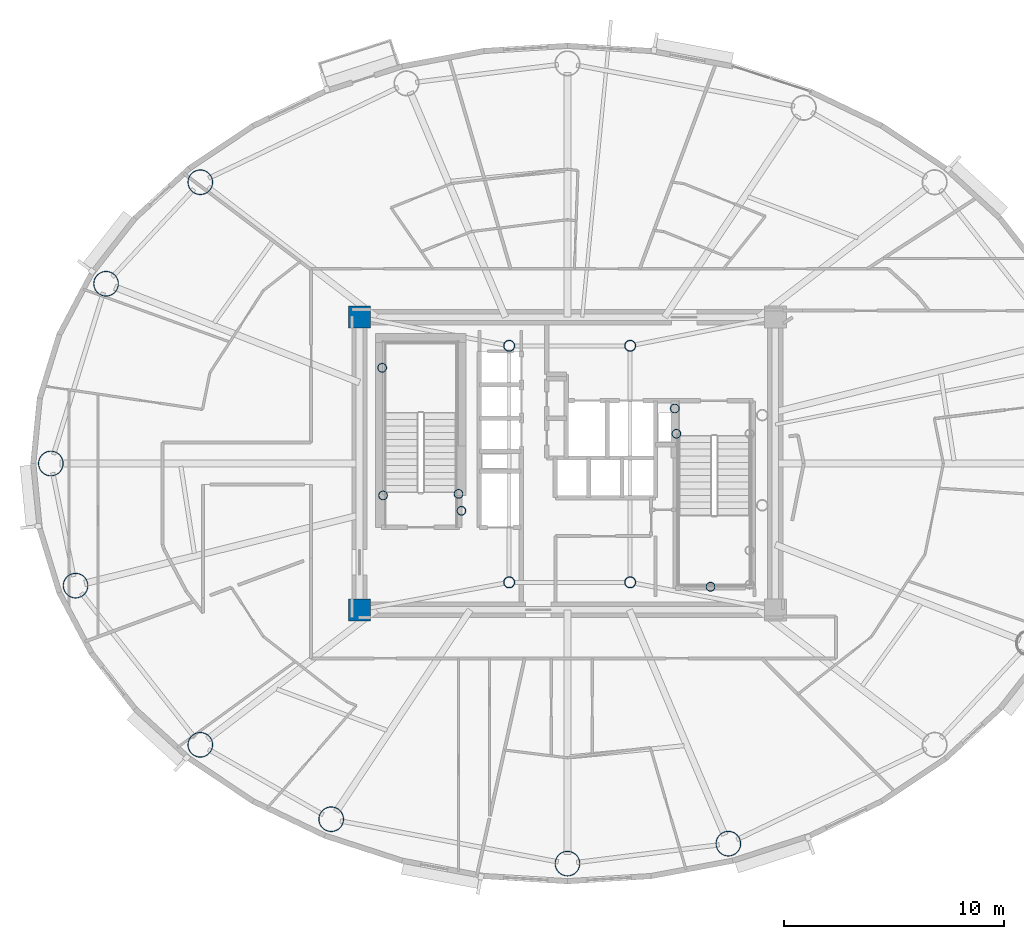
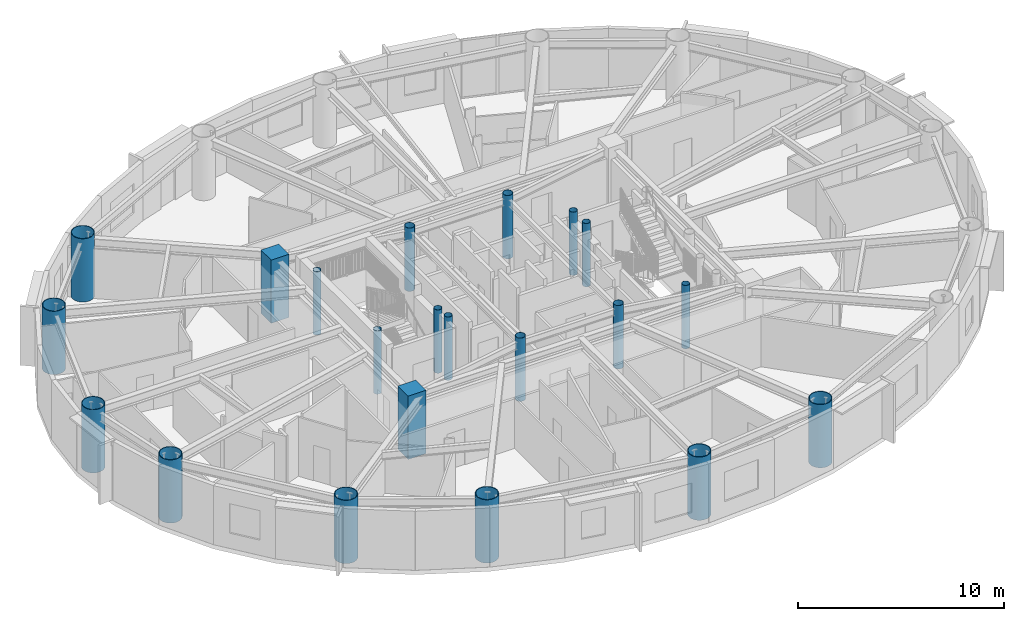
# One storey, part 1 of 19: 21 columns.
"""IFC4 building model written with IfcOpenShell, lengths in metres."""

from ifc_helpers import new_model, si_unit, direction, frame, origin, origin_2d, place, context, subcontext, project, spatial, rectangle, hollow_circle, extrude, material, material_profile, profile_set, type_object, element, save


model = new_model("IFC4")

# Units and contexts
model_context = context("Model", 3, precision=1e-05, world=origin(), true_north=direction((0.0, 1.0)))
body_context = subcontext(model_context, "Body", "Model", "MODEL_VIEW")
ifc_project = project(units=[si_unit("LENGTHUNIT", "METRE"), si_unit("AREAUNIT", "SQUARE_METRE"), si_unit("VOLUMEUNIT", "CUBIC_METRE"), si_unit("PLANEANGLEUNIT", "RADIAN"), si_unit("MASSUNIT", "GRAM", prefix="KILO")], contexts=[model_context])

# Site, building, storey
site_placement = place(None, origin())
site = spatial("IfcSite", under=ifc_project, at=site_placement, CompositionType="ELEMENT")
building_placement = place(site_placement, origin())
building = spatial("IfcBuilding", under=site, at=building_placement, Name="Linh Dai School and Residence Tower", CompositionType="ELEMENT")
storey_placement = place(building_placement, frame((0.0, 0.0, 217.800048828125)))
storey = spatial("IfcBuildingStorey", under=building, at=storey_placement, Name="L53", CompositionType="ELEMENT", Elevation=217.800048828125)

# Columns
ifc_material_1 = material(Name="Concrete B45 (C35/45)", Category="concrete")
ifc_material_profile_1 = material_profile(ifc_material_1, rectangle(XDim=1.0, YDim=1.0, at=origin_2d()), Name="RC 1000x1000")
ifc_profile_set_1 = profile_set([ifc_material_profile_1], Name="Concrete B45 (C35/45)")
column_type_1 = type_object("IfcColumnType", Name="COL-CC3", PredefinedType="COLUMN", material=ifc_profile_set_1)
for number, where, z_axis, x_axis, name in (
    (1, (26.550048828125, 20.35009765625, 0.0), (0.0, 0.0, 1.0), (1.0, 0.0, 0.0), "L53 Core Corner Pier CC1"),
    (2, (26.550048828125, 33.64990234375, 0.0), (0.0, 0.0, 1.0), (1.0, 0.0, 0.0), "L53 Core Corner Pier CC4"),
):
    element("IfcColumn", number, at=place(storey_placement, frame(where, z_axis=z_axis, x_axis=x_axis)), inside=storey, type_object=column_type_1, Name=name, PredefinedType="COLUMN", context=body_context, shape_type="SweptSolid", body=[
        extrude(rectangle(XDim=1.0, YDim=1.0, at=origin_2d()), origin(), (0.0, 0.0, 1.0), 3.75),
    ])
ifc_material_2 = material(Name="Structural Steel S355JR", Category="steel")
ifc_material_profile_2 = material_profile(ifc_material_2, hollow_circle(Radius=0.203125, WallThickness=0.01611328125, at=origin_2d()), Name="CHS 406.4x16")
ifc_profile_set_2 = profile_set([ifc_material_profile_2], Name="Structural Steel S355JR")
column_type_2 = type_object("IfcColumnType", Name="COL-EC", PredefinedType="COLUMN", material=ifc_profile_set_2)
for number, where, z_axis, x_axis, name in (
    (3, (27.580078125, 31.35009765625, 0.0), (0.0, 0.0, 1.0), (1.0, 0.0, 0.0), "L53 Stair Shaft Landing Support Pier ST1NW"),
    (4, (31.050048828125, 25.6201171875, 0.0), (0.0, 0.0, 1.0), (1.0, 0.0, 0.0), "L53 Stair Shaft Landing Support Pier ST1SE"),
    (5, (31.179931640625, 24.85009765625, 0.0), (0.0, 0.0, 1.0), (1.0, 0.0, 0.0), "L53 Stair Shaft Landing Support Pier ST1SM"),
    (6, (27.6201171875, 25.550048828125, 0.0), (0.0, 0.0, 1.0), (1.0, 0.0, 0.0), "L53 Stair Shaft Landing Support Pier ST1SW"),
    (7, (42.5, 21.39990234375, 0.0), (0.0, 0.0, 1.0), (1.0, 0.0, 0.0), "L53 Stair Shaft Landing Support Pier ST2MS"),
    (8, (40.949951171875, 28.35009765625, 0.0), (0.0, 0.0, 1.0), (1.0, 0.0, 0.0), "L53 Stair Shaft Landing Support Pier ST2N1"),
    (9, (40.8798828125, 29.5, 0.0), (0.0, 0.0, 1.0), (1.0, 0.0, 0.0), "L53 Stair Shaft Landing Support Pier ST2N3"),
):
    element("IfcColumn", number, at=place(storey_placement, frame(where, z_axis=z_axis, x_axis=x_axis)), inside=storey, type_object=column_type_2, Name=name, PredefinedType="COLUMN", context=body_context, shape_type="SweptSolid", body=[
        extrude(hollow_circle(Radius=0.203125, WallThickness=0.01611328125, at=origin_2d()), origin(), (0.0, 0.0, 1.0), 3.75),
    ])
ifc_material_profile_3 = material_profile(ifc_material_2, hollow_circle(Radius=0.574951171875, WallThickness=0.035888671875, at=origin_2d()), Name="CHS 1150x36")
ifc_profile_set_3 = profile_set([ifc_material_profile_3], Name="Structural Steel S355JR")
column_type_3 = type_object("IfcColumnType", Name="COL-MC5", PredefinedType="COLUMN", material=ifc_profile_set_3)
for number, where, z_axis, x_axis, name in (
    (10, (19.31689453125, 39.781005859375, 0.0), (0.0, 0.0, 1.0), (1.0, 0.0, 0.0), "L53 Perimeter CFT Mega-Column MC07"),
    (11, (15.03466796875, 35.1689453125, 0.0), (0.0, 0.0, 1.0), (1.0, 0.0, 0.0), "L53 Perimeter CFT Mega-Column MC08"),
    (12, (12.52490234375, 27.0, 0.0), (0.0, 0.0, 1.0), (1.0, 0.0, 0.0), "L53 Perimeter CFT Mega-Column MC09"),
    (13, (13.648681640625, 21.45068359375, 0.0), (0.0, 0.0, 1.0), (1.0, 0.0, 0.0), "L53 Perimeter CFT Mega-Column MC10"),
    (14, (19.31689453125, 14.218994140625, 0.0), (0.0, 0.0, 1.0), (1.0, 0.0, 0.0), "L53 Perimeter CFT Mega-Column MC11"),
    (15, (25.265380859375, 10.83642578125, 0.0), (0.0, 0.0, 1.0), (1.0, 0.0, 0.0), "L53 Perimeter CFT Mega-Column MC12"),
    (16, (36.0, 8.820068359375, 0.0), (0.0, 0.0, 1.0), (1.0, 0.0, 0.0), "L53 Perimeter CFT Mega-Column MC13"),
    (17, (43.31201171875, 9.7265625, 0.0), (0.0, 0.0, 1.0), (1.0, 0.0, 0.0), "L53 Perimeter CFT Mega-Column MC14"),
):
    element("IfcColumn", number, at=place(storey_placement, frame(where, z_axis=z_axis, x_axis=x_axis)), inside=storey, type_object=column_type_3, Name=name, PredefinedType="COLUMN", context=body_context, shape_type="SweptSolid", body=[
        extrude(hollow_circle(Radius=0.574951171875, WallThickness=0.035888671875, at=origin_2d()), origin(), (0.0, 0.0, 1.0), 3.75),
    ])
ifc_material_profile_4 = material_profile(ifc_material_2, hollow_circle(Radius=0.25390625, WallThickness=0.02001953125, at=origin_2d()), Name="CHS 508x20")
ifc_profile_set_4 = profile_set([ifc_material_profile_4], Name="Structural Steel S355JR")
column_type_4 = type_object("IfcColumnType", Name="COL-MCP", PredefinedType="COLUMN", material=ifc_profile_set_4)
for number, where, z_axis, x_axis, name in (
    (18, (33.35009765625, 21.60009765625, 0.0), (0.0, 0.0, 1.0), (1.0, 0.0, 0.0), "L53 Core Mast Support Pier MCP1"),
    (19, (38.85009765625, 21.60009765625, 0.0), (0.0, 0.0, 1.0), (1.0, 0.0, 0.0), "L53 Core Mast Support Pier MCP2"),
    (20, (38.85009765625, 32.35009765625, 0.0), (0.0, 0.0, 1.0), (1.0, 0.0, 0.0), "L53 Core Mast Support Pier MCP3"),
    (21, (33.35009765625, 32.35009765625, 0.0), (0.0, 0.0, 1.0), (1.0, 0.0, 0.0), "L53 Core Mast Support Pier MCP4"),
):
    element("IfcColumn", number, at=place(storey_placement, frame(where, z_axis=z_axis, x_axis=x_axis)), inside=storey, type_object=column_type_4, Name=name, PredefinedType="COLUMN", context=body_context, shape_type="SweptSolid", body=[
        extrude(hollow_circle(Radius=0.25390625, WallThickness=0.02001953125, at=origin_2d()), origin(), (0.0, 0.0, 1.0), 3.75),
    ])

save(model, "model.ifc")
